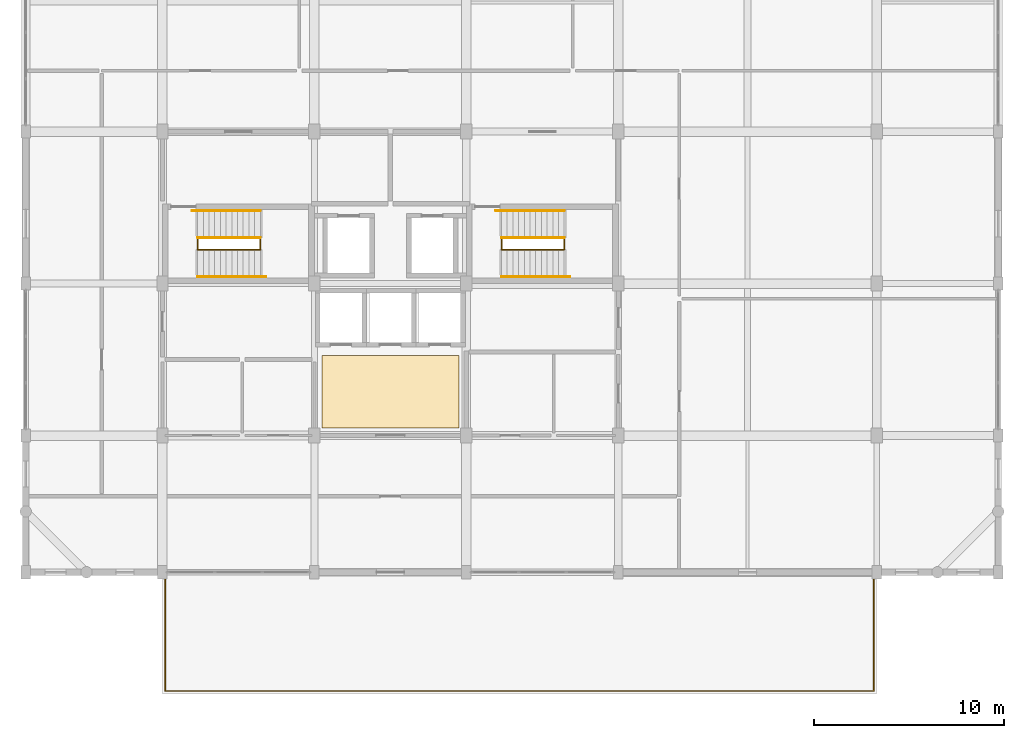
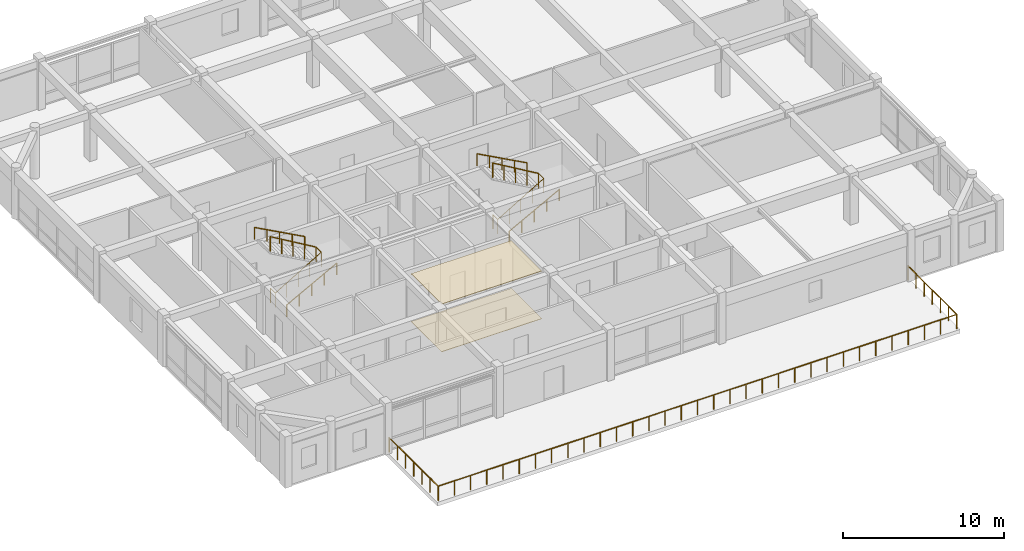
# One storey, part 13 of 13: 9 railings, 2 coverings.
"""IFC4 building model written with IfcOpenShell, lengths in metres."""

from ifc_helpers import new_model, si_unit, direction, frame, origin, origin_2d, place, context, subcontext, project, spatial, polyline, circle, outline, extrude, material, layer, layer_set, type_object, element, save


model = new_model("IFC4")

# Units and contexts
model_context = context("Model", 3, precision=1e-05, world=origin(), true_north=direction((0.0, 1.0)))
body_context = subcontext(model_context, "Body", "Model", "MODEL_VIEW")
ifc_project = project(units=[si_unit("LENGTHUNIT", "METRE"), si_unit("AREAUNIT", "SQUARE_METRE"), si_unit("VOLUMEUNIT", "CUBIC_METRE"), si_unit("PLANEANGLEUNIT", "RADIAN"), si_unit("MASSUNIT", "GRAM", prefix="KILO")], contexts=[model_context])

# Site, building, storey
site_placement = place(None, origin())
site = spatial("IfcSite", under=ifc_project, at=site_placement, CompositionType="ELEMENT")
building_placement = place(site_placement, origin())
building = spatial("IfcBuilding", under=site, at=building_placement, Name="Vellmiral Cinema and Media Centre", CompositionType="ELEMENT")
storey_placement = place(building_placement, frame((0.0, 0.0, 50.89990234375)))
storey = spatial("IfcBuildingStorey", under=building, at=storey_placement, Name="L12", CompositionType="ELEMENT", Elevation=50.89990234375)

# Coverings
ifc_material_1 = material(Name="Micro-Perforated Acoustic Gypsum Ceiling")
ifc_layer_1 = layer(ifc_material_1, 0.0400390625, Name="Micro-Perforated Acoustic Gypsum Ceiling")
ifc_layer_set_1 = layer_set([ifc_layer_1], Name="Micro-Perforated Acoustic Gypsum Ceiling")
covering_type_1 = type_object("IfcCoveringType", Name="COV-AC-CEILING", PredefinedType="CEILING", material=ifc_layer_set_1)
covering_1_placement = place(storey_placement, frame((0.0, 0.0, 3.6201171875)))
element("IfcCovering", 1, at=covering_1_placement, inside=storey, type_object=covering_type_1, Name="Acoustic Lobby Ceiling L12", PredefinedType="CEILING", context=body_context, shape_type="SweptSolid", body=[
    extrude(outline(polyline([(132.39990234375, 79.60009765625), (139.60009765625, 79.60009765625), (139.60009765625, 83.39990234375), (132.39990234375, 83.39990234375), (132.39990234375, 79.60009765625)])), origin(), (0.0, 0.0, 1.0), 0.0400390625),
])
ifc_material_2 = material(Name="Honed Terrazzo Acoustic Floor Finish")
ifc_layer_2 = layer(ifc_material_2, 0.030029296875, Name="Honed Terrazzo Acoustic Floor Finish")
ifc_layer_set_2 = layer_set([ifc_layer_2], Name="Honed Terrazzo Acoustic Floor Finish")
covering_type_2 = type_object("IfcCoveringType", Name="COV-TERR-FLOORING", PredefinedType="FLOORING", material=ifc_layer_set_2)
covering_2_placement = place(storey_placement, origin())
element("IfcCovering", 2, at=covering_2_placement, inside=storey, type_object=covering_type_2, Name="Terrazzo Lobby Flooring L12", PredefinedType="FLOORING", context=body_context, shape_type="SweptSolid", body=[
    extrude(outline(polyline([(132.39990234375, 79.60009765625), (139.60009765625, 79.60009765625), (139.60009765625, 83.39990234375), (132.39990234375, 83.39990234375), (132.39990234375, 79.60009765625)])), origin(), (0.0, 0.0, 1.0), 0.030029296875),
])

# Railings
ifc_material_3 = material(Name="Forged Wrought-Iron Whiplash Balustrade", Category="steel")
railing_type_1 = type_object("IfcRailingType", Name="RL-BAL-WROUGHT-1120", PredefinedType="BALUSTRADE", material=ifc_material_3)
railing_1_placement = place(storey_placement, frame((124.14990234375, 71.85009765625, 0.0)))
element("IfcRailing", 3, at=railing_1_placement, inside=storey, type_object=railing_type_1, Name="Terrace Wrought-Iron Balustrade RL-TERR-L12-SOUTH", PredefinedType="BALUSTRADE", context=body_context, shape_type="SweptSolid", body=[
    extrude(circle(Radius=0.02392578125, at=origin_2d()), frame((0.0, 0.0, 1.09619140625), z_axis=(0.0, -1.0, 0.0), x_axis=(1.0, 0.0, 0.0)), (0.0, 0.0, 1.0), 6.10009765625),
    extrude(circle(Radius=0.02392578125, at=origin_2d()), frame((0.0, -6.10009765625, 1.09619140625), z_axis=(1.0, 0.0, 0.0), x_axis=(0.0, 1.0, 0.0)), (0.0, 0.0, 1.0), 37.300048828125),
    extrude(circle(Radius=0.02392578125, at=origin_2d()), frame((37.300048828125, -6.10009765625, 1.09619140625), z_axis=(0.0, 1.0, 0.0), x_axis=(-1.0, 0.0, 0.0)), (0.0, 0.0, 1.0), 6.10009765625),
    extrude(circle(Radius=0.02099609375, at=origin_2d()), origin(), (0.0, 0.0, 1.0), 1.072021484375),
    extrude(circle(Radius=0.02099609375, at=origin_2d()), frame((0.0, -1.0166015625, 0.0)), (0.0, 0.0, 1.0), 1.072021484375),
    extrude(circle(Radius=0.02099609375, at=origin_2d()), frame((0.0, -2.033447265625, 0.0)), (0.0, 0.0, 1.0), 1.072021484375),
    extrude(circle(Radius=0.02099609375, at=origin_2d()), frame((0.0, -3.050048828125, 0.0)), (0.0, 0.0, 1.0), 1.072021484375),
    extrude(circle(Radius=0.02099609375, at=origin_2d()), frame((0.0, -4.066650390625, 0.0)), (0.0, 0.0, 1.0), 1.072021484375),
    extrude(circle(Radius=0.02099609375, at=origin_2d()), frame((0.0, -5.08349609375, 0.0)), (0.0, 0.0, 1.0), 1.072021484375),
    extrude(circle(Radius=0.02099609375, at=origin_2d()), frame((0.0, -6.10009765625, 0.0)), (0.0, 0.0, 1.0), 1.072021484375),
    extrude(circle(Radius=0.02099609375, at=origin_2d()), frame((1.16552734375, -6.10009765625, 0.0)), (0.0, 0.0, 1.0), 1.072021484375),
    extrude(circle(Radius=0.02099609375, at=origin_2d()), frame((2.331298828125, -6.10009765625, 0.0)), (0.0, 0.0, 1.0), 1.072021484375),
    extrude(circle(Radius=0.02099609375, at=origin_2d()), frame((3.496826171875, -6.10009765625, 0.0)), (0.0, 0.0, 1.0), 1.072021484375),
    extrude(circle(Radius=0.02099609375, at=origin_2d()), frame((4.66259765625, -6.10009765625, 0.0)), (0.0, 0.0, 1.0), 1.072021484375),
    extrude(circle(Radius=0.02099609375, at=origin_2d()), frame((5.828125, -6.10009765625, 0.0)), (0.0, 0.0, 1.0), 1.072021484375),
    extrude(circle(Radius=0.02099609375, at=origin_2d()), frame((6.99365234375, -6.10009765625, 0.0)), (0.0, 0.0, 1.0), 1.072021484375),
    extrude(circle(Radius=0.02099609375, at=origin_2d()), frame((8.159423828125, -6.10009765625, 0.0)), (0.0, 0.0, 1.0), 1.072021484375),
    extrude(circle(Radius=0.02099609375, at=origin_2d()), frame((9.324951171875, -6.10009765625, 0.0)), (0.0, 0.0, 1.0), 1.072021484375),
    extrude(circle(Radius=0.02099609375, at=origin_2d()), frame((10.49072265625, -6.10009765625, 0.0)), (0.0, 0.0, 1.0), 1.072021484375),
    extrude(circle(Radius=0.02099609375, at=origin_2d()), frame((11.65625, -6.10009765625, 0.0)), (0.0, 0.0, 1.0), 1.072021484375),
    extrude(circle(Radius=0.02099609375, at=origin_2d()), frame((12.82177734375, -6.10009765625, 0.0)), (0.0, 0.0, 1.0), 1.072021484375),
    extrude(circle(Radius=0.02099609375, at=origin_2d()), frame((13.987548828125, -6.10009765625, 0.0)), (0.0, 0.0, 1.0), 1.072021484375),
    extrude(circle(Radius=0.02099609375, at=origin_2d()), frame((15.153076171875, -6.10009765625, 0.0)), (0.0, 0.0, 1.0), 1.072021484375),
    extrude(circle(Radius=0.02099609375, at=origin_2d()), frame((16.31884765625, -6.10009765625, 0.0)), (0.0, 0.0, 1.0), 1.072021484375),
    extrude(circle(Radius=0.02099609375, at=origin_2d()), frame((17.484375, -6.10009765625, 0.0)), (0.0, 0.0, 1.0), 1.072021484375),
    extrude(circle(Radius=0.02099609375, at=origin_2d()), frame((18.64990234375, -6.10009765625, 0.0)), (0.0, 0.0, 1.0), 1.072021484375),
    extrude(circle(Radius=0.02099609375, at=origin_2d()), frame((19.815673828125, -6.10009765625, 0.0)), (0.0, 0.0, 1.0), 1.072021484375),
    extrude(circle(Radius=0.02099609375, at=origin_2d()), frame((20.981201171875, -6.10009765625, 0.0)), (0.0, 0.0, 1.0), 1.072021484375),
    extrude(circle(Radius=0.02099609375, at=origin_2d()), frame((22.14697265625, -6.10009765625, 0.0)), (0.0, 0.0, 1.0), 1.072021484375),
    extrude(circle(Radius=0.02099609375, at=origin_2d()), frame((23.3125, -6.10009765625, 0.0)), (0.0, 0.0, 1.0), 1.072021484375),
    extrude(circle(Radius=0.02099609375, at=origin_2d()), frame((24.478271484375, -6.10009765625, 0.0)), (0.0, 0.0, 1.0), 1.072021484375),
    extrude(circle(Radius=0.02099609375, at=origin_2d()), frame((25.643798828125, -6.10009765625, 0.0)), (0.0, 0.0, 1.0), 1.072021484375),
    extrude(circle(Radius=0.02099609375, at=origin_2d()), frame((26.809326171875, -6.10009765625, 0.0)), (0.0, 0.0, 1.0), 1.072021484375),
    extrude(circle(Radius=0.02099609375, at=origin_2d()), frame((27.97509765625, -6.10009765625, 0.0)), (0.0, 0.0, 1.0), 1.072021484375),
    extrude(circle(Radius=0.02099609375, at=origin_2d()), frame((29.140625, -6.10009765625, 0.0)), (0.0, 0.0, 1.0), 1.072021484375),
    extrude(circle(Radius=0.02099609375, at=origin_2d()), frame((30.306396484375, -6.10009765625, 0.0)), (0.0, 0.0, 1.0), 1.072021484375),
    extrude(circle(Radius=0.02099609375, at=origin_2d()), frame((31.471923828125, -6.10009765625, 0.0)), (0.0, 0.0, 1.0), 1.072021484375),
    extrude(circle(Radius=0.02099609375, at=origin_2d()), frame((32.637451171875, -6.10009765625, 0.0)), (0.0, 0.0, 1.0), 1.072021484375),
    extrude(circle(Radius=0.02099609375, at=origin_2d()), frame((33.80322265625, -6.10009765625, 0.0)), (0.0, 0.0, 1.0), 1.072021484375),
    extrude(circle(Radius=0.02099609375, at=origin_2d()), frame((34.96875, -6.10009765625, 0.0)), (0.0, 0.0, 1.0), 1.072021484375),
    extrude(circle(Radius=0.02099609375, at=origin_2d()), frame((36.134521484375, -6.10009765625, 0.0)), (0.0, 0.0, 1.0), 1.072021484375),
    extrude(circle(Radius=0.02099609375, at=origin_2d()), frame((37.300048828125, -6.10009765625, 0.0)), (0.0, 0.0, 1.0), 1.072021484375),
    extrude(circle(Radius=0.02099609375, at=origin_2d()), frame((37.300048828125, -5.08349609375, 0.0)), (0.0, 0.0, 1.0), 1.072021484375),
    extrude(circle(Radius=0.02099609375, at=origin_2d()), frame((37.300048828125, -4.066650390625, 0.0)), (0.0, 0.0, 1.0), 1.072021484375),
    extrude(circle(Radius=0.02099609375, at=origin_2d()), frame((37.300048828125, -3.050048828125, 0.0)), (0.0, 0.0, 1.0), 1.072021484375),
    extrude(circle(Radius=0.02099609375, at=origin_2d()), frame((37.300048828125, -2.033447265625, 0.0)), (0.0, 0.0, 1.0), 1.072021484375),
    extrude(circle(Radius=0.02099609375, at=origin_2d()), frame((37.300048828125, -1.0166015625, 0.0)), (0.0, 0.0, 1.0), 1.072021484375),
    extrude(circle(Radius=0.02099609375, at=origin_2d()), frame((37.300048828125, 0.0, 0.0)), (0.0, 0.0, 1.0), 1.072021484375),
])
ifc_material_4 = material(Name="Brushed Stainless Steel Handrail", Category="steel")
railing_type_2 = type_object("IfcRailingType", Name="RL-HANDRAIL-900", PredefinedType="HANDRAIL", material=ifc_material_4)
railing_2_placement = place(storey_placement, frame((125.85009765625, 87.56005859375, 0.16259765625)))
element("IfcRailing", 4, at=railing_2_placement, inside=storey, type_object=railing_type_2, Name="Stair Wall Handrail ST-T1 L12-1", PredefinedType="HANDRAIL", context=body_context, shape_type="SweptSolid", body=[
    extrude(circle(Radius=0.02392578125, at=origin_2d()), frame((0.0, 0.0, 0.8759765625), z_axis=(0.879288844789, 0.0, 0.476288911721), x_axis=(0.0, 1.0, 0.0)), (0.0, 0.0, 1.0), 4.093994140625),
    extrude(circle(Radius=0.02099609375, at=origin_2d()), origin(), (0.0, 0.0, 1.0), 0.851806640625),
    extrude(circle(Radius=0.02099609375, at=origin_2d()), frame((0.89990234375, 0.0, 0.487548828125)), (0.0, 0.0, 1.0), 0.851806640625),
    extrude(circle(Radius=0.02099609375, at=origin_2d()), frame((1.7998046875, 0.0, 0.97509765625)), (0.0, 0.0, 1.0), 0.851806640625),
    extrude(circle(Radius=0.02099609375, at=origin_2d()), frame((2.699951171875, 0.0, 1.46240234375)), (0.0, 0.0, 1.0), 0.851806640625),
    extrude(circle(Radius=0.02099609375, at=origin_2d()), frame((3.599853515625, 0.0, 1.949951171875)), (0.0, 0.0, 1.0), 0.851806640625),
])
railing_3_placement = place(storey_placement, frame((129.14990234375, 91.0400390625, 2.112548828125)))
element("IfcRailing", 5, at=railing_3_placement, inside=storey, type_object=railing_type_2, Name="Stair Wall Handrail ST-T1 L12-2", PredefinedType="HANDRAIL", context=body_context, shape_type="SweptSolid", body=[
    extrude(circle(Radius=0.02392578125, at=origin_2d()), frame((0.0, 0.0, 0.8759765625), z_axis=(-0.879288844789, 0.0, 0.476288911721), x_axis=(0.0, -1.0, 0.0)), (0.0, 0.0, 1.0), 4.093994140625),
    extrude(circle(Radius=0.02099609375, at=origin_2d()), origin(), (0.0, 0.0, 1.0), 0.851806640625),
    extrude(circle(Radius=0.02099609375, at=origin_2d()), frame((-0.89990234375, 0.0, 0.487548828125)), (0.0, 0.0, 1.0), 0.851806640625),
    extrude(circle(Radius=0.02099609375, at=origin_2d()), frame((-1.7998046875, 0.0, 0.97509765625)), (0.0, 0.0, 1.0), 0.851806640625),
    extrude(circle(Radius=0.02099609375, at=origin_2d()), frame((-2.699951171875, 0.0, 1.46240234375)), (0.0, 0.0, 1.0), 0.851806640625),
    extrude(circle(Radius=0.02099609375, at=origin_2d()), frame((-3.599853515625, 0.0, 1.949951171875)), (0.0, 0.0, 1.0), 0.851806640625),
])
railing_4_placement = place(storey_placement, frame((141.85009765625, 87.56005859375, 0.16259765625)))
element("IfcRailing", 6, at=railing_4_placement, inside=storey, type_object=railing_type_2, Name="Stair Wall Handrail ST-T2 L12-1", PredefinedType="HANDRAIL", context=body_context, shape_type="SweptSolid", body=[
    extrude(circle(Radius=0.02392578125, at=origin_2d()), frame((0.0, 0.0, 0.8759765625), z_axis=(0.879288844789, 0.0, 0.476288911721), x_axis=(0.0, 1.0, 0.0)), (0.0, 0.0, 1.0), 4.093994140625),
    extrude(circle(Radius=0.02099609375, at=origin_2d()), origin(), (0.0, 0.0, 1.0), 0.851806640625),
    extrude(circle(Radius=0.02099609375, at=origin_2d()), frame((0.89990234375, 0.0, 0.487548828125)), (0.0, 0.0, 1.0), 0.851806640625),
    extrude(circle(Radius=0.02099609375, at=origin_2d()), frame((1.7998046875, 0.0, 0.97509765625)), (0.0, 0.0, 1.0), 0.851806640625),
    extrude(circle(Radius=0.02099609375, at=origin_2d()), frame((2.699951171875, 0.0, 1.46240234375)), (0.0, 0.0, 1.0), 0.851806640625),
    extrude(circle(Radius=0.02099609375, at=origin_2d()), frame((3.599853515625, 0.0, 1.949951171875)), (0.0, 0.0, 1.0), 0.851806640625),
])
railing_5_placement = place(storey_placement, frame((145.14990234375, 91.0400390625, 2.112548828125)))
element("IfcRailing", 7, at=railing_5_placement, inside=storey, type_object=railing_type_2, Name="Stair Wall Handrail ST-T2 L12-2", PredefinedType="HANDRAIL", context=body_context, shape_type="SweptSolid", body=[
    extrude(circle(Radius=0.02392578125, at=origin_2d()), frame((0.0, 0.0, 0.8759765625), z_axis=(-0.879288844789, 0.0, 0.476288911721), x_axis=(0.0, -1.0, 0.0)), (0.0, 0.0, 1.0), 4.093994140625),
    extrude(circle(Radius=0.02099609375, at=origin_2d()), origin(), (0.0, 0.0, 1.0), 0.851806640625),
    extrude(circle(Radius=0.02099609375, at=origin_2d()), frame((-0.89990234375, 0.0, 0.487548828125)), (0.0, 0.0, 1.0), 0.851806640625),
    extrude(circle(Radius=0.02099609375, at=origin_2d()), frame((-1.7998046875, 0.0, 0.97509765625)), (0.0, 0.0, 1.0), 0.851806640625),
    extrude(circle(Radius=0.02099609375, at=origin_2d()), frame((-2.699951171875, 0.0, 1.46240234375)), (0.0, 0.0, 1.0), 0.851806640625),
    extrude(circle(Radius=0.02099609375, at=origin_2d()), frame((-3.599853515625, 0.0, 1.949951171875)), (0.0, 0.0, 1.0), 0.851806640625),
])
ifc_material_5 = material(Name="Painted Steel Stair Guardrail", Category="steel")
railing_type_3 = type_object("IfcRailingType", Name="RL-STAIR-GUARD-1120", PredefinedType="GUARDRAIL", material=ifc_material_5)
railing_6_placement = place(storey_placement, frame((125.85009765625, 89.580078125, 0.0)))
element("IfcRailing", 8, at=railing_6_placement, inside=storey, type_object=railing_type_3, Name="Stair Well Guard ST-T1 L12-A", PredefinedType="GUARDRAIL", context=body_context, shape_type="SweptSolid", body=[
    extrude(circle(Radius=0.02392578125, at=origin_2d()), frame((0.0, 0.0, 1.09619140625), z_axis=(0.0, -1.0, 0.0), x_axis=(1.0, 0.0, 0.0)), (0.0, 0.0, 1.0), 0.60009765625),
    extrude(circle(Radius=0.02392578125, at=origin_2d()), frame((0.0, -0.60009765625, 1.09619140625), z_axis=(0.860891021225, 0.0, 0.50878939609), x_axis=(0.0, 1.0, 0.0)), (0.0, 0.0, 1.0), 3.8330078125),
    extrude(circle(Radius=0.02392578125, at=origin_2d()), frame((3.2998046875, -0.60009765625, 3.04638671875), z_axis=(0.0, 1.0, 0.0), x_axis=(-1.0, 0.0, 0.0)), (0.0, 0.0, 1.0), 0.64013671875),
    extrude(circle(Radius=0.02099609375, at=origin_2d()), origin(), (0.0, 0.0, 1.0), 1.072021484375),
    extrude(circle(Radius=0.02099609375, at=origin_2d()), frame((0.0, -0.60009765625, 0.0)), (0.0, 0.0, 1.0), 1.072021484375),
    extrude(circle(Radius=0.02099609375, at=origin_2d()), frame((0.824951171875, -0.60009765625, 0.487548828125)), (0.0, 0.0, 1.0), 1.072021484375),
    extrude(circle(Radius=0.02099609375, at=origin_2d()), frame((1.64990234375, -0.60009765625, 0.97509765625)), (0.0, 0.0, 1.0), 1.072021484375),
    extrude(circle(Radius=0.02099609375, at=origin_2d()), frame((2.474853515625, -0.60009765625, 1.462646484375)), (0.0, 0.0, 1.0), 1.072021484375),
    extrude(circle(Radius=0.02099609375, at=origin_2d()), frame((3.2998046875, -0.60009765625, 1.9501953125)), (0.0, 0.0, 1.0), 1.072021484375),
    extrude(circle(Radius=0.02099609375, at=origin_2d()), frame((3.2998046875, 0.0400390625, 1.9501953125)), (0.0, 0.0, 1.0), 1.072021484375),
])
railing_7_placement = place(storey_placement, frame((129.14990234375, 89.6201171875, 1.9501953125)))
element("IfcRailing", 9, at=railing_7_placement, inside=storey, type_object=railing_type_3, Name="Stair Well Guard ST-T1 L12-B", PredefinedType="GUARDRAIL", context=body_context, shape_type="SweptSolid", body=[
    extrude(circle(Radius=0.02392578125, at=origin_2d()), frame((0.0, 0.0, 1.09619140625), z_axis=(-0.86091891968, 0.0, 0.508742187887), x_axis=(0.0, -1.0, 0.0)), (0.0, 0.0, 1.0), 3.8330078125),
    extrude(circle(Radius=0.02099609375, at=origin_2d()), origin(), (0.0, 0.0, 1.0), 1.072021484375),
    extrude(circle(Radius=0.02099609375, at=origin_2d()), frame((-0.824951171875, 0.0, 0.487548828125)), (0.0, 0.0, 1.0), 1.072021484375),
    extrude(circle(Radius=0.02099609375, at=origin_2d()), frame((-1.64990234375, 0.0, 0.97509765625)), (0.0, 0.0, 1.0), 1.072021484375),
    extrude(circle(Radius=0.02099609375, at=origin_2d()), frame((-2.474853515625, 0.0, 1.46240234375)), (0.0, 0.0, 1.0), 1.072021484375),
    extrude(circle(Radius=0.02099609375, at=origin_2d()), frame((-3.2998046875, 0.0, 1.949951171875)), (0.0, 0.0, 1.0), 1.072021484375),
])
railing_8_placement = place(storey_placement, frame((141.85009765625, 89.580078125, 0.0)))
element("IfcRailing", 10, at=railing_8_placement, inside=storey, type_object=railing_type_3, Name="Stair Well Guard ST-T2 L12-A", PredefinedType="GUARDRAIL", context=body_context, shape_type="SweptSolid", body=[
    extrude(circle(Radius=0.02392578125, at=origin_2d()), frame((0.0, 0.0, 1.09619140625), z_axis=(0.0, -1.0, 0.0), x_axis=(1.0, 0.0, 0.0)), (0.0, 0.0, 1.0), 0.60009765625),
    extrude(circle(Radius=0.02392578125, at=origin_2d()), frame((0.0, -0.60009765625, 1.09619140625), z_axis=(0.860891021225, 0.0, 0.50878939609), x_axis=(0.0, 1.0, 0.0)), (0.0, 0.0, 1.0), 3.8330078125),
    extrude(circle(Radius=0.02392578125, at=origin_2d()), frame((3.2998046875, -0.60009765625, 3.04638671875), z_axis=(0.0, 1.0, 0.0), x_axis=(-1.0, 0.0, 0.0)), (0.0, 0.0, 1.0), 0.64013671875),
    extrude(circle(Radius=0.02099609375, at=origin_2d()), origin(), (0.0, 0.0, 1.0), 1.072021484375),
    extrude(circle(Radius=0.02099609375, at=origin_2d()), frame((0.0, -0.60009765625, 0.0)), (0.0, 0.0, 1.0), 1.072021484375),
    extrude(circle(Radius=0.02099609375, at=origin_2d()), frame((0.824951171875, -0.60009765625, 0.487548828125)), (0.0, 0.0, 1.0), 1.072021484375),
    extrude(circle(Radius=0.02099609375, at=origin_2d()), frame((1.64990234375, -0.60009765625, 0.97509765625)), (0.0, 0.0, 1.0), 1.072021484375),
    extrude(circle(Radius=0.02099609375, at=origin_2d()), frame((2.474853515625, -0.60009765625, 1.462646484375)), (0.0, 0.0, 1.0), 1.072021484375),
    extrude(circle(Radius=0.02099609375, at=origin_2d()), frame((3.2998046875, -0.60009765625, 1.9501953125)), (0.0, 0.0, 1.0), 1.072021484375),
    extrude(circle(Radius=0.02099609375, at=origin_2d()), frame((3.2998046875, 0.0400390625, 1.9501953125)), (0.0, 0.0, 1.0), 1.072021484375),
])
railing_9_placement = place(storey_placement, frame((145.14990234375, 89.6201171875, 1.9501953125)))
element("IfcRailing", 11, at=railing_9_placement, inside=storey, type_object=railing_type_3, Name="Stair Well Guard ST-T2 L12-B", PredefinedType="GUARDRAIL", context=body_context, shape_type="SweptSolid", body=[
    extrude(circle(Radius=0.02392578125, at=origin_2d()), frame((0.0, 0.0, 1.09619140625), z_axis=(-0.86091891968, 0.0, 0.508742187887), x_axis=(0.0, -1.0, 0.0)), (0.0, 0.0, 1.0), 3.8330078125),
    extrude(circle(Radius=0.02099609375, at=origin_2d()), origin(), (0.0, 0.0, 1.0), 1.072021484375),
    extrude(circle(Radius=0.02099609375, at=origin_2d()), frame((-0.824951171875, 0.0, 0.487548828125)), (0.0, 0.0, 1.0), 1.072021484375),
    extrude(circle(Radius=0.02099609375, at=origin_2d()), frame((-1.64990234375, 0.0, 0.97509765625)), (0.0, 0.0, 1.0), 1.072021484375),
    extrude(circle(Radius=0.02099609375, at=origin_2d()), frame((-2.474853515625, 0.0, 1.46240234375)), (0.0, 0.0, 1.0), 1.072021484375),
    extrude(circle(Radius=0.02099609375, at=origin_2d()), frame((-3.2998046875, 0.0, 1.949951171875)), (0.0, 0.0, 1.0), 1.072021484375),
])

save(model, "model.ifc")
